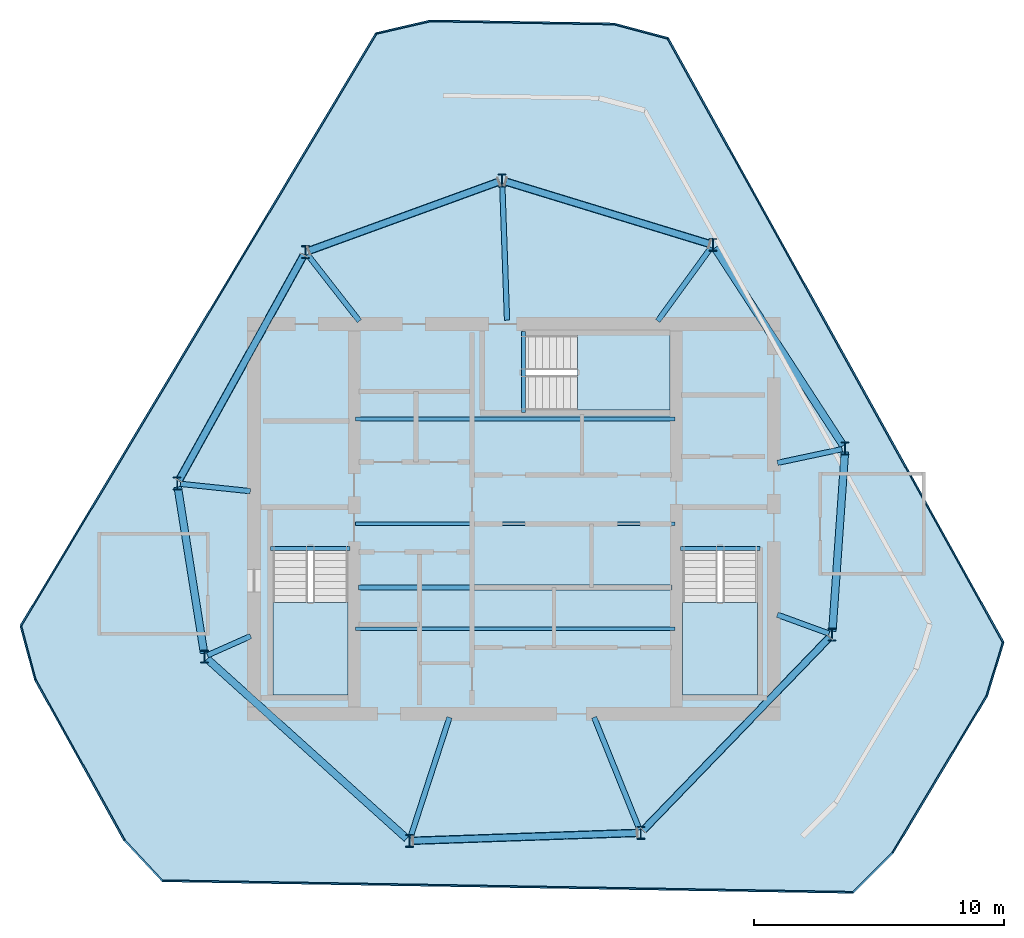
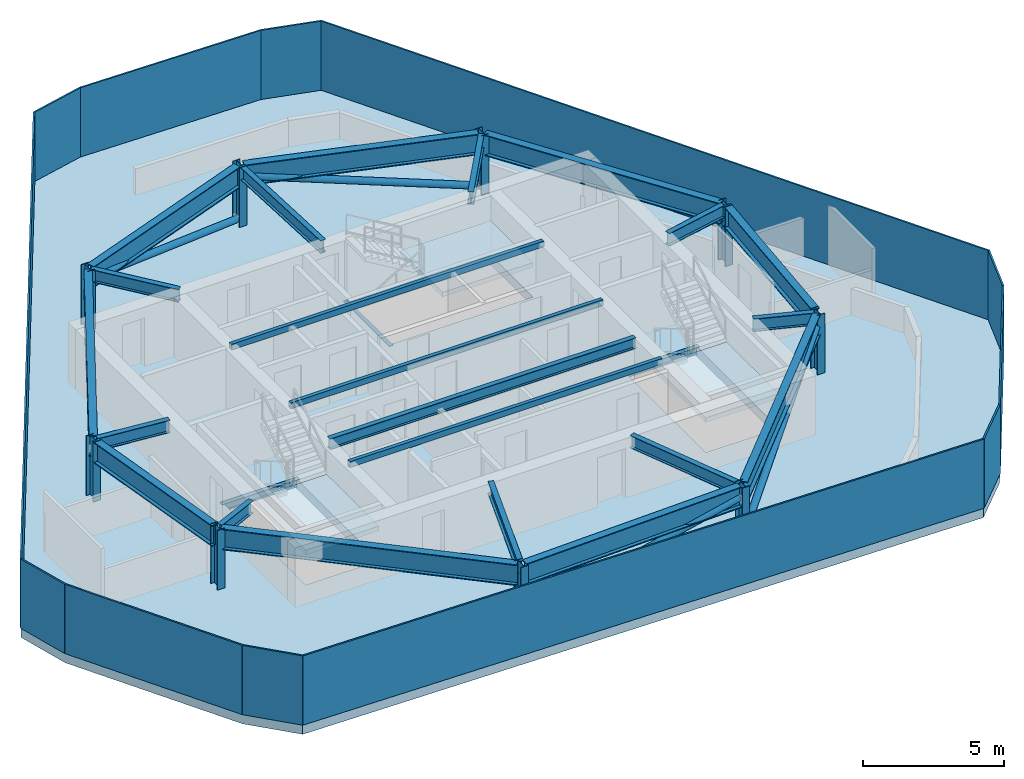
# One storey, part 1 of 6: 22 beams, 12 plates, 9 columns, 8 members, 4 slabs, 3 elements without a shape of their own.
"""IFC4 building model written with IfcOpenShell, lengths in metres."""

from ifc_helpers import new_model, si_unit, direction, frame, origin, origin_2d, place, context, subcontext, project, spatial, polyline, rectangle, hollow_rectangle, hollow_circle, i_section, outline, extrude, material, layer, layer_set, material_profile, profile_set, type_object, element, aggregate, save


model = new_model("IFC4")

# Units and contexts
model_context = context("Model", 3, precision=1e-05, world=origin(), true_north=direction((0.0, 1.0)))
body_context = subcontext(model_context, "Body", "Model", "MODEL_VIEW")
ifc_project = project(units=[si_unit("LENGTHUNIT", "METRE"), si_unit("AREAUNIT", "SQUARE_METRE"), si_unit("VOLUMEUNIT", "CUBIC_METRE"), si_unit("PLANEANGLEUNIT", "RADIAN"), si_unit("MASSUNIT", "GRAM", prefix="KILO")], contexts=[model_context])

# Site, building, storey
site_placement = place(None, origin())
site = spatial("IfcSite", under=ifc_project, at=site_placement, CompositionType="ELEMENT")
building_placement = place(site_placement, origin())
building = spatial("IfcBuilding", under=site, at=building_placement, Name="Qarnah Convention Tower", CompositionType="ELEMENT")
storey_placement = place(building_placement, frame((0.0, 0.0, 289.89990234375)))
storey = spatial("IfcBuildingStorey", under=building, at=storey_placement, Name="L78", CompositionType="ELEMENT", Elevation=289.89990234375)

# Columns
ifc_material_1 = material(Name="Structural steel S355JR", Category="steel")
ifc_material_profile_1 = material_profile(ifc_material_1, i_section(OverallWidth=0.300048828125, OverallDepth=0.5, WebThickness=0.014892578125, FlangeThickness=0.028076171875, at=origin_2d()), Name="HEB500")
ifc_profile_set_1 = profile_set([ifc_material_profile_1], Name="Structural steel S355JR")
column_type = type_object("IfcColumnType", Name="COL-CRN-HEB500", PredefinedType="COLUMN", material=ifc_profile_set_1)
for number, where, z_axis, x_axis, name in (
    (1, (50.4541015625, 29.217041015625, 0.0), (0.0, 0.0, 1.0), (1.0, 0.0, 0.0), "L78 CROWN FRAME ring post PC-CROWN-01"),
    (2, (45.1640625, 37.362060546875, 0.0), (0.0, 0.0, 1.0), (1.0, 0.0, 0.0), "L78 CROWN FRAME ring post PC-CROWN-02"),
    (3, (36.72705078125, 39.94189453125, 0.0), (0.0, 0.0, 1.0), (1.0, 0.0, 0.0), "L78 CROWN FRAME ring post PC-CROWN-03"),
    (4, (28.85791015625, 37.077880859375, 0.0), (0.0, 0.0, 1.0), (1.0, 0.0, 0.0), "L78 CROWN FRAME ring post PC-CROWN-04"),
    (5, (23.72412109375, 27.81591796875, 0.0), (0.0, 0.0, 1.0), (1.0, 0.0, 0.0), "L78 CROWN FRAME ring post PC-CROWN-05"),
    (6, (24.821044921875, 20.888916015625, 0.0), (0.0, 0.0, 1.0), (1.0, 0.0, 0.0), "L78 CROWN FRAME ring post PC-CROWN-06"),
    (7, (33.012939453125, 13.512939453125, 0.0), (0.0, 0.0, 1.0), (1.0, 0.0, 0.0), "L78 CROWN FRAME ring post PC-CROWN-07"),
    (8, (42.27587890625, 13.8369140625, 0.0), (0.0, 0.0, 1.0), (1.0, 0.0, 0.0), "L78 CROWN FRAME ring post PC-CROWN-08"),
    (9, (49.93310546875, 21.76611328125, 0.0), (0.0, 0.0, 1.0), (1.0, 0.0, 0.0), "L78 CROWN FRAME ring post PC-CROWN-09"),
):
    element("IfcColumn", number, at=place(storey_placement, frame(where, z_axis=z_axis, x_axis=x_axis)), inside=storey, type_object=column_type, Name=name, PredefinedType="COLUMN", context=body_context, shape_type="SweptSolid", body=[
        extrude(i_section(OverallWidth=0.300048828125, OverallDepth=0.5, WebThickness=0.014892578125, FlangeThickness=0.028076171875, at=origin_2d()), origin(), (0.0, 0.0, 1.0), 2.580078125),
    ])

# Beams
ifc_material_profile_2 = material_profile(ifc_material_1, i_section(OverallWidth=0.19189453125, OverallDepth=0.464111328125, WebThickness=0.010986328125, FlangeThickness=0.01806640625, at=origin_2d()), Name="W460X89")
ifc_profile_set_2 = profile_set([ifc_material_profile_2], Name="Structural steel S355JR")
beam_type_1 = type_object("IfcBeamType", Name="BM-CANT-W460A", PredefinedType="BEAM", material=ifc_profile_set_2)
beam_1_placement = place(storey_placement, frame((30.97998046875, 23.64990234375, 2.34814453125), z_axis=(1.0, 0.0, 0.0), x_axis=(0.0, 1.0, 0.0)))
element("IfcBeam", 10, at=beam_1_placement, inside=storey, type_object=beam_type_1, Name="L78 beam BM-L78-KC1", PredefinedType="BEAM", context=body_context, shape_type="SweptSolid", body=[
    extrude(i_section(OverallWidth=0.19189453125, OverallDepth=0.464111328125, WebThickness=0.010986328125, FlangeThickness=0.01806640625, at=origin_2d()), origin(), (0.0, 0.0, 1.0), 12.5400390625),
])
ifc_material_profile_3 = material_profile(ifc_material_1, i_section(OverallWidth=0.166015625, OverallDepth=0.31201171875, WebThickness=0.007080078125, FlangeThickness=0.010986328125, at=origin_2d()), Name="W310X45")
ifc_profile_set_3 = profile_set([ifc_material_profile_3], Name="Structural steel S355JR")
beam_type_2 = type_object("IfcBeamType", Name="BM-JST-W310", PredefinedType="JOIST", material=ifc_profile_set_3)
for number, where, z_axis, x_axis, name in (
    (11, (27.4599609375, 25.217041015625, -0.156005859375), (1.0, 0.0, 0.0), (0.0, 1.0, 0.0), "L78 stair landing trimmer beam BM-L78-ST1-TRM"),
    (12, (43.860107421875, 25.217041015625, -0.156005859375), (1.0, 0.0, 0.0), (0.0, 1.0, 0.0), "L78 stair landing trimmer beam BM-L78-ST2-TRM"),
):
    element("IfcBeam", number, at=place(storey_placement, frame(where, z_axis=z_axis, x_axis=x_axis)), inside=storey, type_object=beam_type_2, Name=name, PredefinedType="BEAM", context=body_context, shape_type="SweptSolid", body=[
        extrude(i_section(OverallWidth=0.166015625, OverallDepth=0.31201171875, WebThickness=0.007080078125, FlangeThickness=0.010986328125, at=origin_2d()), origin(), (0.0, 0.0, 1.0), 3.179931640625),
    ])
beam_2_placement = place(storey_placement, frame((37.5830078125, 30.659912109375, -0.156005859375), z_axis=(0.0, 1.0, 0.0), x_axis=(-1.0, 0.0, 0.0)))
element("IfcBeam", 13, at=beam_2_placement, inside=storey, type_object=beam_type_2, Name="L78 stair landing trimmer beam BM-L78-ST3-TRM", PredefinedType="BEAM", context=body_context, shape_type="SweptSolid", body=[
    extrude(i_section(OverallWidth=0.166015625, OverallDepth=0.31201171875, WebThickness=0.007080078125, FlangeThickness=0.010986328125, at=origin_2d()), origin(), (0.0, 0.0, 1.0), 3.239990234375),
])
ifc_material_profile_4 = material_profile(ifc_material_1, i_section(OverallWidth=0.2119140625, OverallDepth=0.5400390625, WebThickness=0.011962890625, FlangeThickness=0.01904296875, at=origin_2d()), Name="W530X109")
ifc_profile_set_4 = profile_set([ifc_material_profile_4], Name="Structural steel S355JR")
beam_type_3 = type_object("IfcBeamType", Name="BM-RAD-W530A", PredefinedType="BEAM", material=ifc_profile_set_4)
beam_3_placement = place(storey_placement, frame((47.7470703125, 28.64111328125, 2.31005859375), z_axis=(0.978111540928, 0.208081266585, 0.0), x_axis=(-0.208081266585, 0.978111540928, 0.0)))
element("IfcBeam", 14, at=beam_3_placement, inside=storey, type_object=beam_type_3, Name="L78 beam BM-L78-RAD-01", PredefinedType="BEAM", context=body_context, shape_type="SweptSolid", body=[
    extrude(i_section(OverallWidth=0.2119140625, OverallDepth=0.5400390625, WebThickness=0.011962890625, FlangeThickness=0.01904296875, at=origin_2d()), origin(), (0.0, 0.0, 1.0), 2.637451171875),
])
beam_4_placement = place(storey_placement, frame((42.955078125, 34.321044921875, 2.31005859375), z_axis=(0.587723585285, 0.809061794487, 0.0), x_axis=(-0.809061794487, 0.587723585285, 0.0)))
element("IfcBeam", 15, at=beam_4_placement, inside=storey, type_object=beam_type_3, Name="L78 beam BM-L78-RAD-02", PredefinedType="BEAM", context=body_context, shape_type="SweptSolid", body=[
    extrude(i_section(OverallWidth=0.2119140625, OverallDepth=0.5400390625, WebThickness=0.011962890625, FlangeThickness=0.01904296875, at=origin_2d()), origin(), (0.0, 0.0, 1.0), 3.62890625),
])
beam_5_placement = place(storey_placement, frame((36.923095703125, 34.35009765625, 2.31005859375), z_axis=(-0.034977689841, 0.999388093392, 0.0), x_axis=(-0.999388093392, -0.034977689841, 0.0)))
element("IfcBeam", 16, at=beam_5_placement, inside=storey, type_object=beam_type_3, Name="L78 beam BM-L78-RAD-03", PredefinedType="BEAM", context=body_context, shape_type="SweptSolid", body=[
    extrude(i_section(OverallWidth=0.2119140625, OverallDepth=0.5400390625, WebThickness=0.011962890625, FlangeThickness=0.01904296875, at=origin_2d()), origin(), (0.0, 0.0, 1.0), 5.46533203125),
])
beam_6_placement = place(storey_placement, frame((31.013916015625, 34.318115234375, 2.31005859375), z_axis=(-0.615533058193, 0.788111067218, 0.0), x_axis=(-0.788111067218, -0.615533058193, 0.0)))
element("IfcBeam", 17, at=beam_6_placement, inside=storey, type_object=beam_type_3, Name="L78 beam BM-L78-RAD-04", PredefinedType="BEAM", context=body_context, shape_type="SweptSolid", body=[
    extrude(i_section(OverallWidth=0.2119140625, OverallDepth=0.5400390625, WebThickness=0.011962890625, FlangeThickness=0.01904296875, at=origin_2d()), origin(), (0.0, 0.0, 1.0), 3.37255859375),
])
beam_7_placement = place(storey_placement, frame((26.65087890625, 27.509033203125, 2.31005859375), z_axis=(-0.994562369636, 0.104142656506, 0.0), x_axis=(-0.104142656506, -0.994562369636, 0.0)))
element("IfcBeam", 18, at=beam_7_placement, inside=storey, type_object=beam_type_3, Name="L78 beam BM-L78-RAD-05", PredefinedType="BEAM", context=body_context, shape_type="SweptSolid", body=[
    extrude(i_section(OverallWidth=0.2119140625, OverallDepth=0.5400390625, WebThickness=0.011962890625, FlangeThickness=0.01904296875, at=origin_2d()), origin(), (0.0, 0.0, 1.0), 2.813232421875),
])
beam_8_placement = place(storey_placement, frame((26.6630859375, 21.708984375, 2.31005859375), z_axis=(-0.913565851785, -0.406690833991, 0.0), x_axis=(0.406690833991, -0.913565851785, 0.0)))
element("IfcBeam", 19, at=beam_8_placement, inside=storey, type_object=beam_type_3, Name="L78 beam BM-L78-RAD-06", PredefinedType="BEAM", context=body_context, shape_type="SweptSolid", body=[
    extrude(i_section(OverallWidth=0.2119140625, OverallDepth=0.5400390625, WebThickness=0.011962890625, FlangeThickness=0.01904296875, at=origin_2d()), origin(), (0.0, 0.0, 1.0), 1.88623046875),
])
beam_9_placement = place(storey_placement, frame((34.6201171875, 18.45703125, 2.31005859375), z_axis=(-0.309196077222, -0.950998310109, 0.0), x_axis=(0.950998310109, -0.309196077222, 0.0)))
element("IfcBeam", 20, at=beam_9_placement, inside=storey, type_object=beam_type_3, Name="L78 beam BM-L78-RAD-07", PredefinedType="BEAM", context=body_context, shape_type="SweptSolid", body=[
    extrude(i_section(OverallWidth=0.2119140625, OverallDepth=0.5400390625, WebThickness=0.011962890625, FlangeThickness=0.01904296875, at=origin_2d()), origin(), (0.0, 0.0, 1.0), 5.068359375),
])
beam_10_placement = place(storey_placement, frame((40.407958984375, 18.4609375, 2.31005859375), z_axis=(0.374569439496, -0.927198864859, 0.0), x_axis=(0.927198864859, 0.374569439496, 0.0)))
element("IfcBeam", 21, at=beam_10_placement, inside=storey, type_object=beam_type_3, Name="L78 beam BM-L78-RAD-08", PredefinedType="BEAM", context=body_context, shape_type="SweptSolid", body=[
    extrude(i_section(OverallWidth=0.2119140625, OverallDepth=0.5400390625, WebThickness=0.011962890625, FlangeThickness=0.01904296875, at=origin_2d()), origin(), (0.0, 0.0, 1.0), 4.8564453125),
])
beam_11_placement = place(storey_placement, frame((47.740966796875, 22.56396484375, 2.31005859375), z_axis=(0.939625060503, -0.342205706667, 0.0), x_axis=(0.342205706667, 0.939625060503, 0.0)))
element("IfcBeam", 22, at=beam_11_placement, inside=storey, type_object=beam_type_3, Name="L78 beam BM-L78-RAD-09", PredefinedType="BEAM", context=body_context, shape_type="SweptSolid", body=[
    extrude(i_section(OverallWidth=0.2119140625, OverallDepth=0.5400390625, WebThickness=0.011962890625, FlangeThickness=0.01904296875, at=origin_2d()), origin(), (0.0, 0.0, 1.0), 2.203125),
])
ifc_material_profile_5 = material_profile(ifc_material_1, i_section(OverallWidth=0.300048828125, OverallDepth=0.89990234375, WebThickness=0.01904296875, FlangeThickness=0.034912109375, at=origin_2d()), Name="HEB900")
ifc_profile_set_5 = profile_set([ifc_material_profile_5], Name="Structural steel S355JR")
beam_type_4 = type_object("IfcBeamType", Name="BM-RING-HEB900", PredefinedType="BEAM", material=ifc_profile_set_5)
beam_12_placement = place(storey_placement, frame((50.3779296875, 29.333984375, 2.130126953125), z_axis=(-0.544668094576, 0.83865169573, 0.0), x_axis=(-0.83865169573, -0.544668094576, 0.0)))
element("IfcBeam", 23, at=beam_12_placement, inside=storey, type_object=beam_type_4, Name="L78 CROWN FRAME top ring cap beam 01", PredefinedType="BEAM", context=body_context, shape_type="SweptSolid", body=[
    extrude(i_section(OverallWidth=0.300048828125, OverallDepth=0.89990234375, WebThickness=0.01904296875, FlangeThickness=0.034912109375, at=origin_2d()), origin(), (0.0, 0.0, 1.0), 9.43310546875),
])
beam_13_placement = place(storey_placement, frame((45.030029296875, 37.403076171875, 2.130126953125), z_axis=(-0.956294755563, 0.292404412557, 0.0), x_axis=(-0.292404412557, -0.956294755563, 0.0)))
element("IfcBeam", 24, at=beam_13_placement, inside=storey, type_object=beam_type_4, Name="L78 CROWN FRAME top ring cap beam 02", PredefinedType="BEAM", context=body_context, shape_type="SweptSolid", body=[
    extrude(i_section(OverallWidth=0.300048828125, OverallDepth=0.89990234375, WebThickness=0.01904296875, FlangeThickness=0.034912109375, at=origin_2d()), origin(), (0.0, 0.0, 1.0), 8.542236328125),
])
beam_14_placement = place(storey_placement, frame((36.594970703125, 39.89404296875, 2.130126953125), z_axis=(-0.939689448399, -0.34202885926, 0.0), x_axis=(0.34202885926, -0.939689448399, 0.0)))
element("IfcBeam", 25, at=beam_14_placement, inside=storey, type_object=beam_type_4, Name="L78 CROWN FRAME top ring cap beam 03", PredefinedType="BEAM", context=body_context, shape_type="SweptSolid", body=[
    extrude(i_section(OverallWidth=0.300048828125, OverallDepth=0.89990234375, WebThickness=0.01904296875, FlangeThickness=0.034912109375, at=origin_2d()), origin(), (0.0, 0.0, 1.0), 8.093017578125),
])
beam_15_placement = place(storey_placement, frame((28.7900390625, 36.9560546875, 2.130126953125), z_axis=(-0.484754052056, -0.874650506783, 0.0), x_axis=(0.874650506783, -0.484754052056, 0.0)))
element("IfcBeam", 26, at=beam_15_placement, inside=storey, type_object=beam_type_4, Name="L78 CROWN FRAME top ring cap beam 04", PredefinedType="BEAM", context=body_context, shape_type="SweptSolid", body=[
    extrude(i_section(OverallWidth=0.300048828125, OverallDepth=0.89990234375, WebThickness=0.01904296875, FlangeThickness=0.034912109375, at=origin_2d()), origin(), (0.0, 0.0, 1.0), 10.310546875),
])
beam_16_placement = place(storey_placement, frame((23.74609375, 27.677978515625, 2.130126953125), z_axis=(0.156374021529, -0.987697912011, 0.0), x_axis=(0.987697912011, 0.156374021529, 0.0)))
element("IfcBeam", 27, at=beam_16_placement, inside=storey, type_object=beam_type_4, Name="L78 CROWN FRAME top ring cap beam 05", PredefinedType="BEAM", context=body_context, shape_type="SweptSolid", body=[
    extrude(i_section(OverallWidth=0.300048828125, OverallDepth=0.89990234375, WebThickness=0.01904296875, FlangeThickness=0.034912109375, at=origin_2d()), origin(), (0.0, 0.0, 1.0), 6.733642578125),
])
beam_17_placement = place(storey_placement, frame((24.925048828125, 20.794921875, 2.130126953125), z_axis=(0.743178874011, -0.669092789696, 0.0), x_axis=(0.669092789696, 0.743178874011, 0.0)))
element("IfcBeam", 28, at=beam_17_placement, inside=storey, type_object=beam_type_4, Name="L78 CROWN FRAME top ring cap beam 06", PredefinedType="BEAM", context=body_context, shape_type="SweptSolid", body=[
    extrude(i_section(OverallWidth=0.300048828125, OverallDepth=0.89990234375, WebThickness=0.01904296875, FlangeThickness=0.034912109375, at=origin_2d()), origin(), (0.0, 0.0, 1.0), 10.742919921875),
])
beam_18_placement = place(storey_placement, frame((33.153076171875, 13.51806640625, 2.130126953125), z_axis=(0.999389760583, 0.034930022072, 0.0), x_axis=(-0.034930022072, 0.999389760583, 0.0)))
element("IfcBeam", 29, at=beam_18_placement, inside=storey, type_object=beam_type_4, Name="L78 CROWN FRAME top ring cap beam 07", PredefinedType="BEAM", context=body_context, shape_type="SweptSolid", body=[
    extrude(i_section(OverallWidth=0.300048828125, OverallDepth=0.89990234375, WebThickness=0.01904296875, FlangeThickness=0.034912109375, at=origin_2d()), origin(), (0.0, 0.0, 1.0), 8.98828125),
])
beam_19_placement = place(storey_placement, frame((42.373046875, 13.93798828125, 2.130126953125), z_axis=(0.694704823646, 0.719294938118, 0.0), x_axis=(-0.719294938118, 0.694704823646, 0.0)))
element("IfcBeam", 30, at=beam_19_placement, inside=storey, type_object=beam_type_4, Name="L78 CROWN FRAME top ring cap beam 08", PredefinedType="BEAM", context=body_context, shape_type="SweptSolid", body=[
    extrude(i_section(OverallWidth=0.300048828125, OverallDepth=0.89990234375, WebThickness=0.01904296875, FlangeThickness=0.034912109375, at=origin_2d()), origin(), (0.0, 0.0, 1.0), 10.742431640625),
])
beam_20_placement = place(storey_placement, frame((49.943115234375, 21.906005859375, 2.130126953125), z_axis=(0.069692584583, 0.997568515769, 0.0), x_axis=(-0.997568515769, 0.069692584583, 0.0)))
element("IfcBeam", 31, at=beam_20_placement, inside=storey, type_object=beam_type_4, Name="L78 CROWN FRAME top ring cap beam 09", PredefinedType="BEAM", context=body_context, shape_type="SweptSolid", body=[
    extrude(i_section(OverallWidth=0.300048828125, OverallDepth=0.89990234375, WebThickness=0.01904296875, FlangeThickness=0.034912109375, at=origin_2d()), origin(), (0.0, 0.0, 1.0), 7.1884765625),
])

# Members
ifc_material_profile_6 = material_profile(ifc_material_1, hollow_circle(Radius=0.136474609375, WallThickness=0.010009765625, at=origin_2d()), Name="CHS273X10")
ifc_profile_set_6 = profile_set([ifc_material_profile_6], Name="Structural steel S355JR")
member_type_1 = type_object("IfcMemberType", Name="MBR-BRC-CHS273", PredefinedType="BRACE", material=ifc_profile_set_6)
member_1_placement = place(storey_placement, frame((45.030029296875, 37.403076171875, 0.25), z_axis=(-0.936185394983, 0.286255611957, 0.203996644197), x_axis=(-0.292404412557, -0.956294755563, 0.0)))
element("IfcMember", 32, at=member_1_placement, inside=storey, type_object=member_type_1, Name="L78 CROWN FRAME ring brace 02", PredefinedType="BRACE", context=body_context, shape_type="SweptSolid", body=[
    extrude(hollow_circle(Radius=0.136474609375, WallThickness=0.010009765625, at=origin_2d()), origin(), (0.0, 0.0, 1.0), 8.725830078125),
])
member_2_placement = place(storey_placement, frame((36.594970703125, 39.89404296875, 0.25), z_axis=(-0.917753158969, -0.334044472436, 0.214810217722), x_axis=(0.34202885926, -0.939689448399, 0.0)))
element("IfcMember", 33, at=member_2_placement, inside=storey, type_object=member_type_1, Name="L78 CROWN FRAME ring brace 03", PredefinedType="BRACE", context=body_context, shape_type="SweptSolid", body=[
    extrude(hollow_circle(Radius=0.136474609375, WallThickness=0.010009765625, at=origin_2d()), origin(), (0.0, 0.0, 1.0), 8.28662109375),
])
member_3_placement = place(storey_placement, frame((28.7900390625, 36.9560546875, 0.25), z_axis=(-0.477687462224, -0.861900130892, 0.170125990967), x_axis=(0.874650506783, -0.484754052056, 0.0)))
element("IfcMember", 34, at=member_3_placement, inside=storey, type_object=member_type_1, Name="L78 CROWN FRAME ring brace 04", PredefinedType="BRACE", context=body_context, shape_type="SweptSolid", body=[
    extrude(hollow_circle(Radius=0.136474609375, WallThickness=0.010009765625, at=origin_2d()), origin(), (0.0, 0.0, 1.0), 10.462890625),
])
member_4_placement = place(storey_placement, frame((33.153076171875, 13.51806640625, 0.25), z_axis=(0.980350737007, 0.034264582481, 0.194263663193), x_axis=(-0.034930022072, 0.999389760583, 0.0)))
element("IfcMember", 35, at=member_4_placement, inside=storey, type_object=member_type_1, Name="L78 CROWN FRAME ring brace 07", PredefinedType="BRACE", context=body_context, shape_type="SweptSolid", body=[
    extrude(hollow_circle(Radius=0.136474609375, WallThickness=0.010009765625, at=origin_2d()), origin(), (0.0, 0.0, 1.0), 9.162841796875),
])
member_5_placement = place(storey_placement, frame((42.373046875, 13.93798828125, 0.25), z_axis=(0.685359837908, 0.709619172657, 0.163470249221), x_axis=(-0.719294938118, 0.694704823646, 0.0)))
element("IfcMember", 36, at=member_5_placement, inside=storey, type_object=member_type_1, Name="L78 CROWN FRAME ring brace 08", PredefinedType="BRACE", context=body_context, shape_type="SweptSolid", body=[
    extrude(hollow_circle(Radius=0.136474609375, WallThickness=0.010009765625, at=origin_2d()), origin(), (0.0, 0.0, 1.0), 10.888916015625),
])
ifc_material_profile_7 = material_profile(ifc_material_1, hollow_rectangle(XDim=0.14990234375, YDim=0.25, WallThickness=0.010009765625, at=origin_2d()), Name="HSS250X150X10")
ifc_profile_set_7 = profile_set([ifc_material_profile_7], Name="Structural steel S355JR")
member_type_2 = type_object("IfcMemberType", Name="MBR-CLR-HSS250X150", PredefinedType="COLLAR", material=ifc_profile_set_7)
for number, where, z_axis, x_axis, name in (
    (37, (30.85009765625, 22.0, 2.5), (1.0, 0.0, 0.0), (0.0, 1.0, 0.0), "L78 crown ring collar tie 1"),
    (38, (30.85009765625, 26.199951171875, 2.5), (1.0, 0.0, 0.0), (0.0, 1.0, 0.0), "L78 crown ring collar tie 2"),
    (39, (30.85009765625, 30.39990234375, 2.5), (1.0, 0.0, 0.0), (0.0, 1.0, 0.0), "L78 crown ring collar tie 3"),
):
    element("IfcMember", number, at=place(storey_placement, frame(where, z_axis=z_axis, x_axis=x_axis)), inside=storey, type_object=member_type_2, Name=name, PredefinedType="COLLAR", context=body_context, shape_type="SweptSolid", body=[
        extrude(hollow_rectangle(XDim=0.14990234375, YDim=0.25, WallThickness=0.010009765625, at=origin_2d()), origin(), (0.0, 0.0, 1.0), 12.7998046875),
    ])

# Plates
ifc_material_2 = material(Name="Black anodised aluminium", Category="aluminium")
ifc_layer_1 = layer(ifc_material_2, 0.06494140625)
ifc_layer_set_1 = layer_set([ifc_layer_1], Name="Black anodised aluminium")
plate_type = type_object("IfcPlateType", Name="SCR-CRN-30", PredefinedType="USERDEFINED", material=ifc_layer_set_1)
plate_1_placement = place(storey_placement, frame((37.532958984375, 46.27001953125, 0.0), z_axis=(0.0, 0.0, 1.0), x_axis=(0.999859781748, -0.016745651447, 0.0)))
element("IfcPlate", 40, at=plate_1_placement, inside=storey, type_object=plate_type, Name="L78 ring crown perforated screen panel 01", ObjectType="SCREEN", PredefinedType="USERDEFINED", context=body_context, shape_type="SweptSolid", body=[
    extrude(rectangle(XDim=7.344970703125, YDim=0.06494140625, at=origin_2d()), origin(), (0.0, 0.0, 1.0), 3.0),
])
plate_2_placement = place(storey_placement, frame((42.281982421875, 45.919921875, 0.0), z_axis=(0.0, 0.0, 1.0), x_axis=(0.966056251775, -0.258331799064, 0.0)))
element("IfcPlate", 41, at=plate_2_placement, inside=storey, type_object=plate_type, Name="L78 ring crown perforated screen panel 02", ObjectType="SCREEN", PredefinedType="USERDEFINED", context=body_context, shape_type="SweptSolid", body=[
    extrude(rectangle(XDim=2.22998046875, YDim=0.06494140625, at=origin_2d()), origin(), (0.0, 0.0, 1.0), 3.0),
])
plate_3_placement = place(storey_placement, frame((50.070068359375, 33.5458984375, 0.0), z_axis=(0.0, 0.0, 1.0), x_axis=(0.485409420401, -0.874286963523, 0.0)))
element("IfcPlate", 42, at=plate_3_placement, inside=storey, type_object=plate_type, Name="L78 ring crown perforated screen panel 03", ObjectType="SCREEN", PredefinedType="USERDEFINED", context=body_context, shape_type="SweptSolid", body=[
    extrude(rectangle(XDim=27.64892578125, YDim=0.06494140625, at=origin_2d()), origin(), (0.0, 0.0, 1.0), 3.0),
])
plate_4_placement = place(storey_placement, frame((56.455078125, 20.39208984375, 0.0), z_axis=(0.0, 0.0, 1.0), x_axis=(-0.291500330705, -0.956570727756, 0.0)))
element("IfcPlate", 43, at=plate_4_placement, inside=storey, type_object=plate_type, Name="L78 ring crown perforated screen panel 04", ObjectType="SCREEN", PredefinedType="USERDEFINED", context=body_context, shape_type="SweptSolid", body=[
    extrude(rectangle(XDim=2.22998046875, YDim=0.06494140625, at=origin_2d()), origin(), (0.0, 0.0, 1.0), 3.0),
])
plate_5_placement = place(storey_placement, frame((54.240966796875, 16.177001953125, 0.0), z_axis=(0.0, 0.0, 1.0), x_axis=(-0.514415586919, -0.857541021721, 0.0)))
element("IfcPlate", 44, at=plate_5_placement, inside=storey, type_object=plate_type, Name="L78 ring crown perforated screen panel 05", ObjectType="SCREEN", PredefinedType="USERDEFINED", context=body_context, shape_type="SweptSolid", body=[
    extrude(rectangle(XDim=7.343994140625, YDim=0.06494140625, at=origin_2d()), origin(), (0.0, 0.0, 1.0), 3.0),
])
plate_6_placement = place(storey_placement, frame((51.56396484375, 12.239013671875, 0.0), z_axis=(0.0, 0.0, 1.0), x_axis=(-0.706658648607, -0.70755462994, 0.0)))
element("IfcPlate", 45, at=plate_6_placement, inside=storey, type_object=plate_type, Name="L78 ring crown perforated screen panel 06", ObjectType="SCREEN", PredefinedType="USERDEFINED", context=body_context, shape_type="SweptSolid", body=[
    extrude(rectangle(XDim=2.22998046875, YDim=0.06494140625, at=origin_2d()), origin(), (0.0, 0.0, 1.0), 3.0),
])
plate_7_placement = place(storey_placement, frame((36.9541015625, 11.681884765625, 0.0), z_axis=(0.0, 0.0, 1.0), x_axis=(-0.999859167316, 0.016782298211, 0.0)))
element("IfcPlate", 46, at=plate_7_placement, inside=storey, type_object=plate_type, Name="L78 ring crown perforated screen panel 07", ObjectType="SCREEN", PredefinedType="USERDEFINED", context=body_context, shape_type="SweptSolid", body=[
    extrude(rectangle(XDim=27.64892578125, YDim=0.06494140625, at=origin_2d()), origin(), (0.0, 0.0, 1.0), 3.0),
])
plate_8_placement = place(storey_placement, frame((22.3701171875, 12.72802734375, 0.0), z_axis=(0.0, 0.0, 1.0), x_axis=(-0.682701370199, 0.730697501795, 0.0)))
element("IfcPlate", 47, at=plate_8_placement, inside=storey, type_object=plate_type, Name="L78 ring crown perforated screen panel 08", ObjectType="SCREEN", PredefinedType="USERDEFINED", context=body_context, shape_type="SweptSolid", body=[
    extrude(rectangle(XDim=2.22900390625, YDim=0.06494140625, at=origin_2d()), origin(), (0.0, 0.0, 1.0), 3.0),
])
plate_9_placement = place(storey_placement, frame((19.826904296875, 16.75390625, 0.0), z_axis=(0.0, 0.0, 1.0), x_axis=(-0.485410946319, 0.874286116322, 0.0)))
element("IfcPlate", 48, at=plate_9_placement, inside=storey, type_object=plate_type, Name="L78 ring crown perforated screen panel 09", ObjectType="SCREEN", PredefinedType="USERDEFINED", context=body_context, shape_type="SweptSolid", body=[
    extrude(rectangle(XDim=7.343994140625, YDim=0.06494140625, at=origin_2d()), origin(), (0.0, 0.0, 1.0), 3.0),
])
plate_10_placement = place(storey_placement, frame((17.75390625, 21.0400390625, 0.0), z_axis=(0.0, 0.0, 1.0), x_axis=(-0.259700641202, 0.965689172021, 0.0)))
element("IfcPlate", 49, at=plate_10_placement, inside=storey, type_object=plate_type, Name="L78 ring crown perforated screen panel 10", ObjectType="SCREEN", PredefinedType="USERDEFINED", context=body_context, shape_type="SweptSolid", body=[
    extrude(rectangle(XDim=2.22900390625, YDim=0.06494140625, at=origin_2d()), origin(), (0.0, 0.0, 1.0), 3.0),
])
plate_11_placement = place(storey_placement, frame((24.576904296875, 33.972900390625, 0.0), z_axis=(0.0, 0.0, 1.0), x_axis=(0.514426063721, 0.857534736885, 0.0)))
element("IfcPlate", 50, at=plate_11_placement, inside=storey, type_object=plate_type, Name="L78 ring crown perforated screen panel 11", ObjectType="SCREEN", PredefinedType="USERDEFINED", context=body_context, shape_type="SweptSolid", body=[
    extrude(rectangle(XDim=27.64990234375, YDim=0.06494140625, at=origin_2d()), origin(), (0.0, 0.0, 1.0), 3.0),
])
plate_12_placement = place(storey_placement, frame((32.77490234375, 46.080078125, 0.0), z_axis=(0.0, 0.0, 1.0), x_axis=(0.974217113517, 0.225612534516, 0.0)))
element("IfcPlate", 51, at=plate_12_placement, inside=storey, type_object=plate_type, Name="L78 ring crown perforated screen panel 12", ObjectType="SCREEN", PredefinedType="USERDEFINED", context=body_context, shape_type="SweptSolid", body=[
    extrude(rectangle(XDim=2.22900390625, YDim=0.06494140625, at=origin_2d()), origin(), (0.0, 0.0, 1.0), 3.0),
])

# Stair, slab
ifc_material_3 = material(Name="Concrete C50/60", Category="concrete")
stair_type = type_object("IfcStairType", Name="STR-CRN", PredefinedType="HALF_TURN_STAIR", material=ifc_material_3)
stair_1_placement = place(storey_placement, origin())
stair_1 = element("IfcStair", 52, at=stair_1_placement, inside=storey, type_object=stair_type, Name="L78 Core exit stair ST-1", PredefinedType="HALF_TURN_STAIR")
ifc_layer_2 = layer(ifc_material_3, 0.199951171875)
ifc_layer_set_2 = layer_set([ifc_layer_2], Name="Concrete C50/60")
slab_type_1 = type_object("IfcSlabType", Name="SLB-LANDING-200", PredefinedType="LANDING", material=ifc_layer_set_2)
slab_1_placement = place(storey_placement, frame((0.0, 0.0, 1.300048828125)))
slab_1 = element("IfcSlab", 53, at=slab_1_placement, type_object=slab_type_1, Name="ST-1 landing 1", PredefinedType="LANDING", context=body_context, shape_type="SweptSolid", body=[
    extrude(outline(polyline([(27.550048828125, 23.06005859375), (27.550048828125, 19.35009765625), (30.550048828125, 19.35009765625), (30.550048828125, 23.06005859375), (27.550048828125, 23.06005859375)])), origin(), (0.0, 0.0, 1.0), 0.199951171875),
])
aggregate(stair_1, [slab_1])

stair_2_placement = place(storey_placement, origin())
stair_2 = element("IfcStair", 54, at=stair_2_placement, inside=storey, type_object=stair_type, Name="L78 Core exit stair ST-2", PredefinedType="HALF_TURN_STAIR")
slab_2_placement = place(storey_placement, frame((0.0, 0.0, 1.300048828125)))
slab_2 = element("IfcSlab", 55, at=slab_2_placement, type_object=slab_type_1, Name="ST-2 landing 1", PredefinedType="LANDING", context=body_context, shape_type="SweptSolid", body=[
    extrude(outline(polyline([(43.949951171875, 23.06005859375), (43.949951171875, 19.35009765625), (46.949951171875, 19.35009765625), (46.949951171875, 23.06005859375), (43.949951171875, 23.06005859375)])), origin(), (0.0, 0.0, 1.0), 0.199951171875),
])
aggregate(stair_2, [slab_2])

stair_3_placement = place(storey_placement, origin())
stair_3 = element("IfcStair", 56, at=stair_3_placement, inside=storey, type_object=stair_type, Name="L78 Core exit stair ST-3", PredefinedType="HALF_TURN_STAIR")
slab_3_placement = place(storey_placement, frame((0.0, 0.0, 1.300048828125)))
slab_3 = element("IfcSlab", 57, at=slab_3_placement, type_object=slab_type_1, Name="ST-3 landing 1", PredefinedType="LANDING", context=body_context, shape_type="SweptSolid", body=[
    extrude(outline(polyline([(39.739990234375, 30.75), (43.449951171875, 30.75), (43.449951171875, 33.75), (39.739990234375, 33.75), (39.739990234375, 30.75)])), origin(), (0.0, 0.0, 1.0), 0.199951171875),
])
aggregate(stair_3, [slab_3])

# Slab
ifc_layer_3 = layer(ifc_material_3, 0.419921875)
ifc_layer_set_3 = layer_set([ifc_layer_3], Name="Concrete C50/60")
slab_type_2 = type_object("IfcSlabType", Name="SLB-TRF-420", PredefinedType="FLOOR", material=ifc_layer_set_3)
slab_4_placement = place(storey_placement, frame((0.0, 0.0, -0.419921875)))
element("IfcSlab", 58, at=slab_4_placement, inside=storey, type_object=slab_type_2, Name="L78 structural floor slab", PredefinedType="FLOOR", context=body_context, shape_type="SweptSolid", body=[
    extrude(outline(polyline([(31.68896484375, 45.827880859375), (17.465087890625, 22.116943359375), (18.0439453125, 19.964111328125), (21.60888671875, 13.54296875), (23.131103515625, 11.9140625), (50.77587890625, 11.449951171875), (52.35205078125, 13.028076171875), (56.1298828125, 19.325927734375), (56.780029296875, 21.458984375), (43.35888671875, 45.632080078125), (41.205078125, 46.2080078125), (33.861083984375, 46.3310546875), (31.68896484375, 45.827880859375)]), holes=[polyline([(27.550048828125, 25.300048828125), (27.550048828125, 19.35009765625), (30.550048828125, 19.35009765625), (30.550048828125, 25.300048828125), (27.550048828125, 25.300048828125)]), polyline([(43.949951171875, 25.300048828125), (43.949951171875, 19.35009765625), (46.949951171875, 19.35009765625), (46.949951171875, 25.300048828125), (43.949951171875, 25.300048828125)]), polyline([(37.5, 30.75), (43.449951171875, 30.75), (43.449951171875, 33.75), (37.5, 33.75), (37.5, 30.75)])]), origin(), (0.0, 0.0, 1.0), 0.419921875),
])

save(model, "model.ifc")
